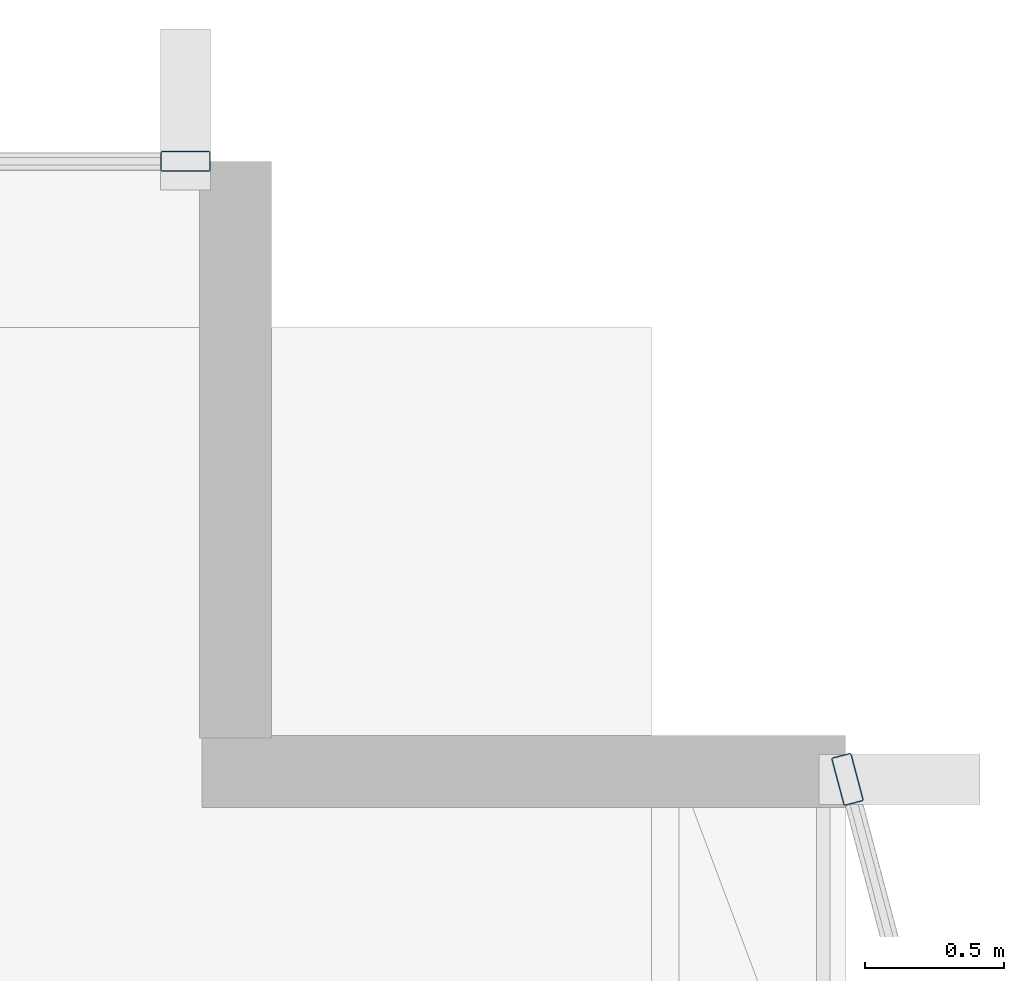
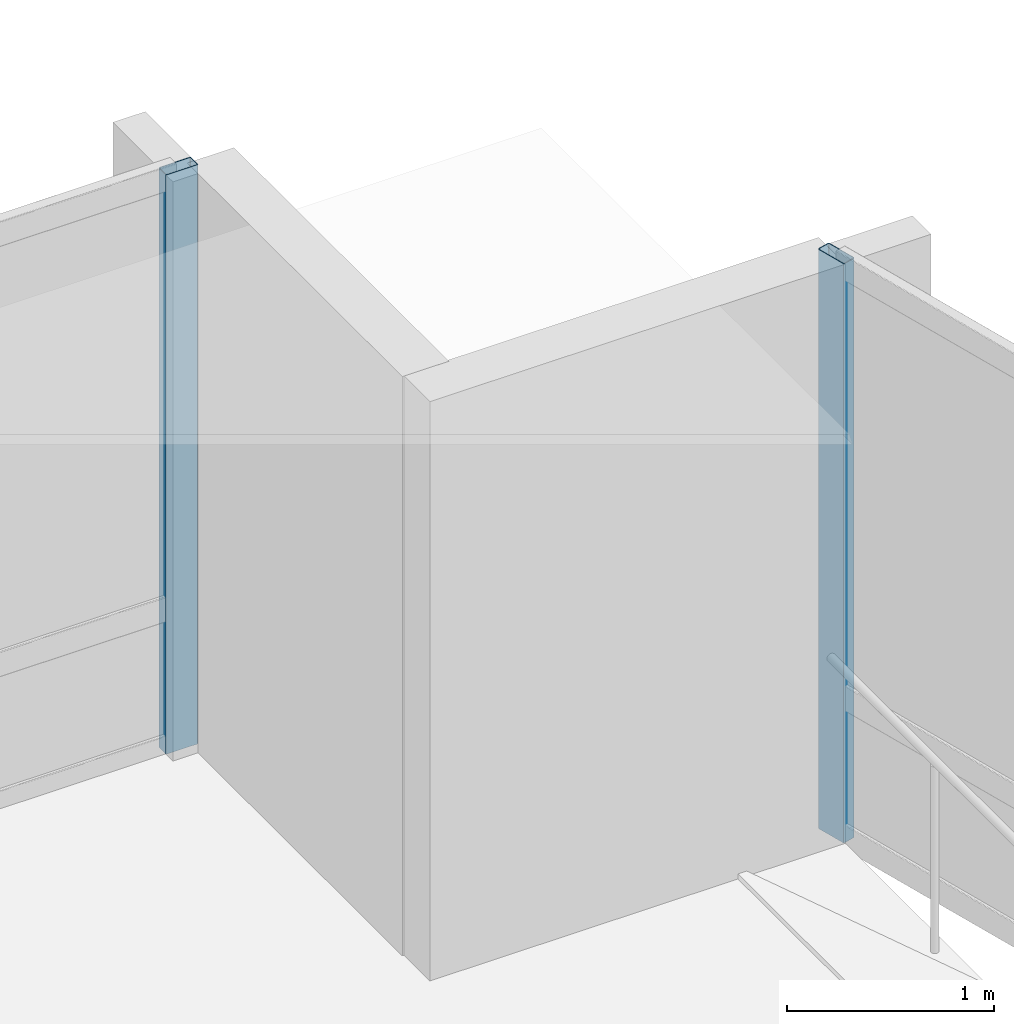
# One storey, part 14 of 27: 2 members, 2 elements without a shape of their own.
"""IFC4 building model written with IfcOpenShell, lengths in metres."""

from ifc_helpers import new_model, si_unit, direction, frame, origin, origin_2d, place, context, subcontext, project, spatial, hollow_rectangle, extrude, material, layer, layer_set, material_profile, profile_set, type_object, element, aggregate, save


model = new_model("IFC4")

# Units and contexts
model_context = context("Model", 3, precision=1e-05, world=origin(), true_north=direction((0.0, 1.0)))
body_context = subcontext(model_context, "Body", "Model", "MODEL_VIEW")
ifc_project = project(units=[si_unit("LENGTHUNIT", "METRE"), si_unit("AREAUNIT", "SQUARE_METRE"), si_unit("VOLUMEUNIT", "CUBIC_METRE"), si_unit("PLANEANGLEUNIT", "RADIAN"), si_unit("MASSUNIT", "GRAM", prefix="KILO")], contexts=[model_context])

# Site, building, storey
site_placement = place(None, origin())
site = spatial("IfcSite", under=ifc_project, at=site_placement, CompositionType="ELEMENT")
building_placement = place(site_placement, origin())
building = spatial("IfcBuilding", under=site, at=building_placement, Name="Solvaryn Broadcast Tower", CompositionType="ELEMENT")
storey_placement = place(building_placement, frame((0.0, 0.0, 174.199951171875)))
storey = spatial("IfcBuildingStorey", under=building, at=storey_placement, Name="L43", CompositionType="ELEMENT", Elevation=174.199951171875)

# Curtain wall, member
ifc_material_1 = material(Name="Aluminium and Terracotta Unitised Curtain Wall", Category="masonry")
ifc_layer = layer(ifc_material_1, 0.199951171875)
ifc_layer_set = layer_set([ifc_layer], Name="CW-SYS2-LOWMID")
curtain_wall_type = type_object("IfcCurtainWallType", Name="CW-SYS2-LOWMID", PredefinedType="NOTDEFINED", material=ifc_layer_set)
curtain_wall_1_placement = place(storey_placement, origin())
curtain_wall_1 = element("IfcCurtainWall", 1, at=curtain_wall_1_placement, inside=storey, type_object=curtain_wall_type, Name="L43 Curtain Wall ET1", PredefinedType="NOTDEFINED")
ifc_material_2 = material(Name="Anodised Aluminium 6063-T6", Category="aluminium")
ifc_material_profile = material_profile(ifc_material_2, hollow_rectangle(XDim=0.074951171875, YDim=0.179931640625, WallThickness=0.00390625, InnerFilletRadius=0.00390625, OuterFilletRadius=0.008056640625, at=origin_2d()))
ifc_profile_set = profile_set([ifc_material_profile], Name="Anodised Aluminium 6063-T6")
member_type = type_object("IfcMemberType", Name="CW-MUL-180", PredefinedType="MULLION", material=ifc_profile_set)
member_1_placement = place(storey_placement, frame((54.007568359375, 24.77099609375, 0.0), z_axis=(0.0, 0.0, 1.0), x_axis=(0.966705227863, 0.25589256031, 0.0)))
member_1 = element("IfcMember", 2, at=member_1_placement, type_object=member_type, Name="CWS2 mullion 1", PredefinedType="MULLION", context=body_context, shape_type="SweptSolid", body=[
    extrude(hollow_rectangle(XDim=0.074951171875, YDim=0.179931640625, WallThickness=0.00390625, InnerFilletRadius=0.00390625, OuterFilletRadius=0.008056640625, at=origin_2d()), origin(), (0.0, 0.0, 1.0), 3.420166015625),
])
aggregate(curtain_wall_1, [member_1])

curtain_wall_2_placement = place(storey_placement, origin())
curtain_wall_2 = element("IfcCurtainWall", 3, at=curtain_wall_2_placement, inside=storey, type_object=curtain_wall_type, Name="L43 Curtain Wall IH", PredefinedType="NOTDEFINED")
member_2_placement = place(storey_placement, frame((51.6201171875, 27.0, 0.0), z_axis=(0.0, 0.0, 1.0), x_axis=(0.0, 1.0, 0.0)))
member_2 = element("IfcMember", 4, at=member_2_placement, type_object=member_type, Name="CWS2 mullion 2", PredefinedType="MULLION", context=body_context, shape_type="SweptSolid", body=[
    extrude(hollow_rectangle(XDim=0.074951171875, YDim=0.179931640625, WallThickness=0.00390625, InnerFilletRadius=0.00390625, OuterFilletRadius=0.008056640625, at=origin_2d()), origin(), (0.0, 0.0, 1.0), 3.420166015625),
])
aggregate(curtain_wall_2, [member_2])

save(model, "model.ifc")
